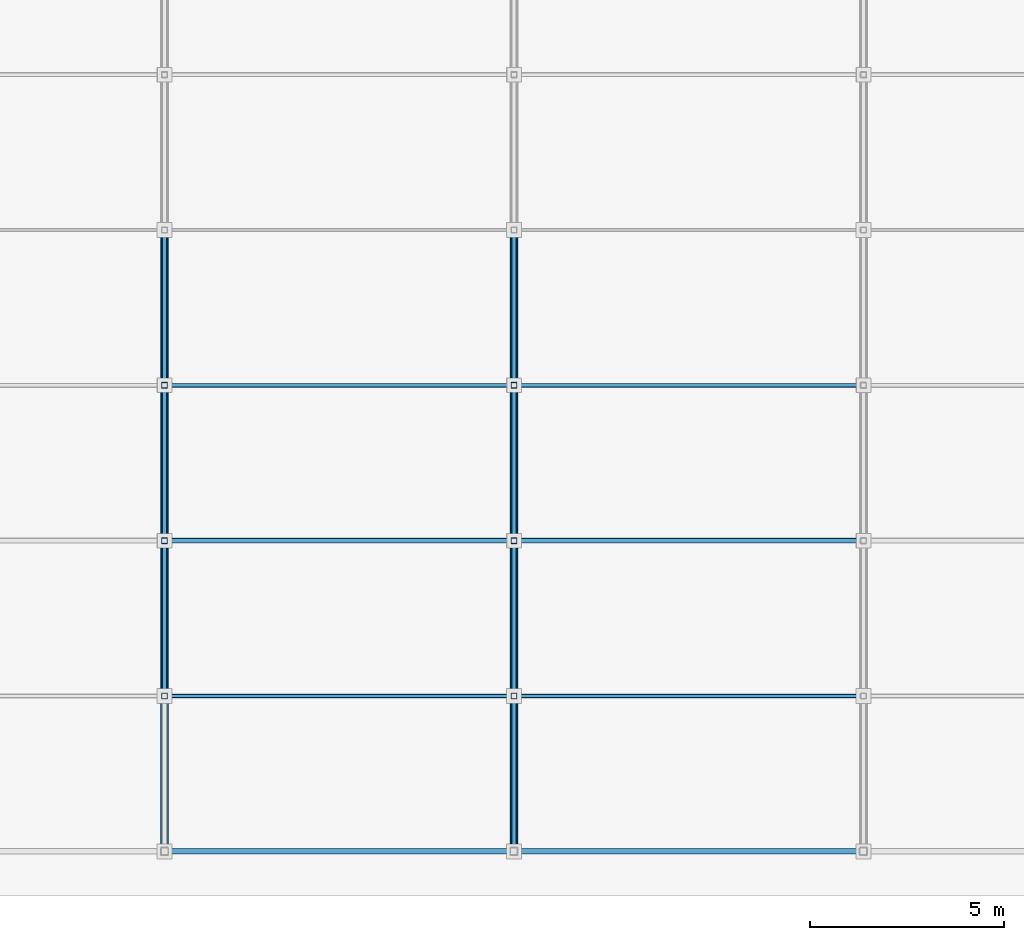
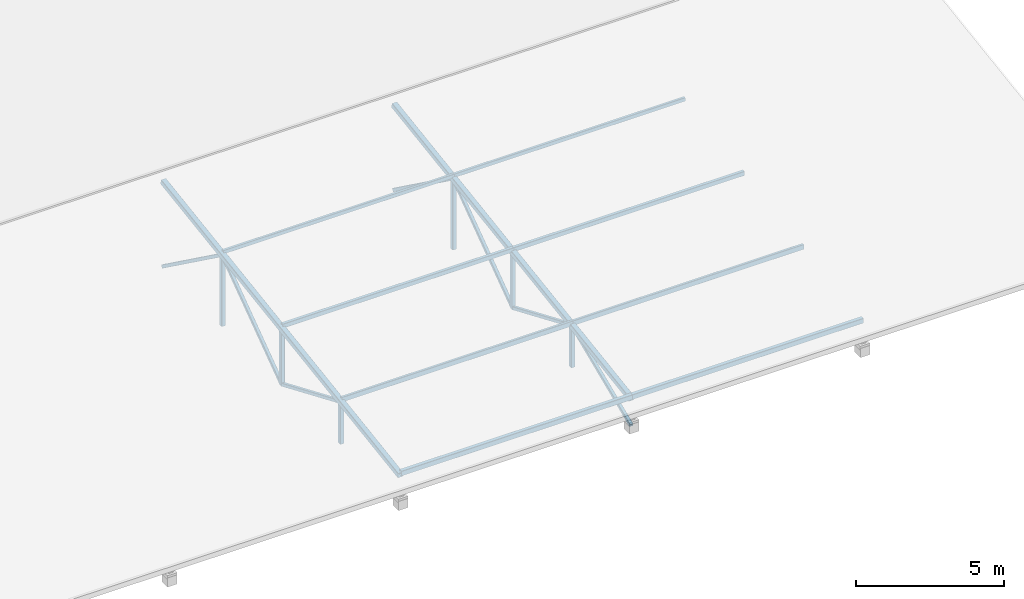
# One storey, part 9 of 118: 21 members, 2 beams.
"""IFC4 building model written with IfcOpenShell, lengths in metres."""

import ifcopenshell
import ifcopenshell.guid

model = None  # the IFC model being written
_history = None  # IfcOwnerHistory: only IFC2X3 demands one
_inside = {}  # id of a spatial element -> (the spatial element, [elements in it])
_under = {}  # id of a project, library or spatial element -> (it, [spatial elements below it])
_declared = {}  # id of a project -> (the project, [libraries it declares])
_typed = {}  # id of a type object -> (the type object, [elements of that type])
_made_of = {}  # id of a material, layer set ... -> (it, [elements and type objects made of it])


def new_model(schema):
    """Start an empty IFC model of exactly this schema.

    Asked for "IFC4X3", IfcOpenShell would pick the latest addendum, in which some entities
    have other attributes; the version numbers below select the first issue.
    IFC2X3 requires an IfcOwnerHistory on every rooted entity: one is made here for all.
    """
    global model, _history
    if schema == "IFC4X3":
        model = ifcopenshell.file(schema_version=(4, 3, 0, 0))
    else:
        model = ifcopenshell.file(schema=schema)
    _inside.clear()
    _under.clear()
    _declared.clear()
    _typed.clear()
    _made_of.clear()
    _history = None
    if model.schema == "IFC2X3":
        org = make("IfcOrganization", Name="unknown")
        user = make(
            "IfcPersonAndOrganization",
            ThePerson=make("IfcPerson", FamilyName="unknown"),
            TheOrganization=org,
        )
        app = make(
            "IfcApplication",
            ApplicationDeveloper=org,
            Version="unknown",
            ApplicationFullName="unknown",
            ApplicationIdentifier="unknown",
        )
        _history = make(
            "IfcOwnerHistory",
            OwningUser=user,
            OwningApplication=app,
            ChangeAction="ADDED",
            CreationDate=0,
        )
    return model


def make(cls, **values):
    """One entity of the class cls with the attributes given. An attribute that is None is left unset."""
    return model.create_entity(
        cls, **{name: value for name, value in values.items() if value is not None}
    )


def rooted(cls, **values):
    """An entity with a GlobalId (a new one), such as an element, a storey or a relation."""
    return make(cls, GlobalId=ifcopenshell.guid.new(), OwnerHistory=_history, **values)


def si_unit(unit_type, name, prefix=None):
    """IfcSIUnit, for example si_unit("LENGTHUNIT", "METRE", prefix="MILLI")."""
    return make("IfcSIUnit", UnitType=unit_type, Prefix=prefix, Name=name)


def assignment(units):
    """IfcUnitAssignment: the units of a project."""
    return None if units is None else make("IfcUnitAssignment", Units=units)


def point(xyz):
    """IfcCartesianPoint."""
    return None if xyz is None else make("IfcCartesianPoint", Coordinates=xyz)


def direction(xyz):
    """IfcDirection."""
    return None if xyz is None else make("IfcDirection", DirectionRatios=xyz)


def frame(location, z_axis=None, x_axis=None):
    """IfcAxis2Placement3D, a coordinate frame: its origin and axes. An axis left out is left unset."""
    return make(
        "IfcAxis2Placement3D",
        Location=point(location),
        Axis=direction(z_axis),
        RefDirection=direction(x_axis),
    )


def frame_2d(location, x_axis=None):
    """IfcAxis2Placement2D, a coordinate frame in the plane: its origin and x axis."""
    return make(
        "IfcAxis2Placement2D", Location=point(location), RefDirection=direction(x_axis)
    )


def origin():
    """The frame at (0, 0, 0) with its axes left unset."""
    return frame((0.0, 0.0, 0.0))


def origin_2d():
    """The frame at (0, 0) in the plane with its x axis left unset."""
    return frame_2d((0.0, 0.0))


def place(relative_to, where):
    """IfcLocalPlacement: puts the frame where relative to a parent placement (None: the world)."""
    return make(
        "IfcLocalPlacement", PlacementRelTo=relative_to, RelativePlacement=where
    )


def context(
    kind, dimensions, precision=None, world=None, true_north=None, identifier=None
):
    """IfcGeometricRepresentationContext, for example the 3D "Model" context."""
    return make(
        "IfcGeometricRepresentationContext",
        ContextIdentifier=identifier,
        ContextType=kind,
        CoordinateSpaceDimension=dimensions,
        Precision=precision,
        WorldCoordinateSystem=world,
        TrueNorth=true_north,
    )


def subcontext(parent, identifier, kind, view, scale=None):
    """IfcGeometricRepresentationSubContext, for example "Body" below "Model"."""
    return make(
        "IfcGeometricRepresentationSubContext",
        ContextIdentifier=identifier,
        ContextType=kind,
        ParentContext=parent,
        TargetScale=scale,
        TargetView=view,
    )


def project(units=None, contexts=None):
    """IfcProject with its units and contexts."""
    return rooted(
        "IfcProject",
        Name="project",
        RepresentationContexts=contexts,
        UnitsInContext=assignment(units),
    )


def spatial(cls, under=None, at=None, **own):
    """A site, building, storey or space (cls), placed at a placement, below another one or the project."""
    s = rooted(cls, ObjectPlacement=at, **own)
    if under is not None:
        _under.setdefault(under.id(), (under, []))[1].append(s)
    return s


def profile(cls, at=None, kind="AREA", **sizes):
    """A parametric profile (cls). Its sizes go by their IFC names, for example OverallWidth=200.0."""
    return make(cls, ProfileType=kind, Position=at, **sizes)


def hollow_rectangle(**sizes):
    """IfcRectangleHollowProfileDef."""
    return profile("IfcRectangleHollowProfileDef", **sizes)


def extrude(swept, where, along, depth):
    """IfcExtrudedAreaSolid: the profile swept, set in the frame where, extruded along a direction by depth."""
    return make(
        "IfcExtrudedAreaSolid",
        SweptArea=swept,
        Position=where,
        ExtrudedDirection=direction(along),
        Depth=depth,
    )


def shape(context_of_items, identifier, shape_type, items):
    """IfcShapeRepresentation: the items that make up one representation, for example the "Body"."""
    return make(
        "IfcShapeRepresentation",
        ContextOfItems=context_of_items,
        RepresentationIdentifier=identifier,
        RepresentationType=shape_type,
        Items=items,
    )


def material(Name=None, Category=None):
    """IfcMaterial."""
    return make("IfcMaterial", Name=Name, Category=Category)


def material_profile(
    of_material, cross_section, Name=None, Category=None, Priority=None
):
    """IfcMaterialProfile: a cross section and its material."""
    return make(
        "IfcMaterialProfile",
        Name=Name,
        Material=of_material,
        Profile=cross_section,
        Priority=Priority,
        Category=Category,
    )


def profile_set(profiles, Name=None, composite=None):
    """IfcMaterialProfileSet."""
    return make(
        "IfcMaterialProfileSet",
        Name=Name,
        MaterialProfiles=profiles,
        CompositeProfile=composite,
    )


def made_of(thing, what):
    """Note that an element or type object is made of a material, layer set ...; save() writes the relation."""
    if what is not None:
        _made_of.setdefault(what.id(), (what, []))[1].append(thing)
    return thing


def type_object(cls, material=None, **own):
    """A type object (cls), such as IfcWallType, which elements share."""
    return made_of(rooted(cls, **own), material)


def element(
    cls,
    number,
    at=None,
    inside=None,
    cuts=None,
    type_object=None,
    material=None,
    context=None,
    identifier="Body",
    shape_type=None,
    held_by="IfcProductDefinitionShape",
    body=None,
    shapes=None,
    **own,
):
    """One element of the class cls, such as IfcWall. Its Tag is "e" and its number.

    at: its placement. inside: the storey or other place that contains it. cuts: it is an
    opening in that element (IfcRelVoidsElement). A single representation is given by context,
    identifier, shape_type and body (its items); several are given by shapes. held_by: the class
    of the entity that holds the representations. save() writes the other relations.
    """
    e = rooted(cls, Tag="e%d" % number, ObjectPlacement=at, **own)
    if body is not None:
        shapes = [shape(context, identifier, shape_type, body)]
    if shapes is not None:
        e.Representation = make(held_by, Representations=shapes)
    if inside is not None:
        _inside.setdefault(inside.id(), (inside, []))[1].append(e)
    if cuts is not None:
        rooted(
            "IfcRelVoidsElement", RelatingBuildingElement=cuts, RelatedOpeningElement=e
        )
    if type_object is not None:
        _typed.setdefault(type_object.id(), (type_object, []))[1].append(e)
    return made_of(e, material)


def aggregate(whole, parts):
    """IfcRelAggregates: a whole, such as a stair, and the parts it consists of."""
    return rooted("IfcRelAggregates", RelatingObject=whole, RelatedObjects=parts)


def save(model, path):
    """Write the relations noted so far, then the file.

    IfcRelAggregates (storeys below a building ...), IfcRelContainedInSpatialStructure (elements
    in a storey), IfcRelDefinesByType, IfcRelAssociatesMaterial and IfcRelDeclares: one each for
    every whole, place, type object, material and project.
    """
    for whole, parts in _under.values():
        aggregate(whole, parts)
    for where, things in _inside.values():
        rooted(
            "IfcRelContainedInSpatialStructure",
            RelatedElements=things,
            RelatingStructure=where,
        )
    for kind, things in _typed.values():
        rooted("IfcRelDefinesByType", RelatedObjects=things, RelatingType=kind)
    for what, things in _made_of.values():
        rooted("IfcRelAssociatesMaterial", RelatedObjects=things, RelatingMaterial=what)
    for by, libraries in _declared.values():
        rooted("IfcRelDeclares", RelatingContext=by, RelatedDefinitions=libraries)
    model.write(path)


model = new_model("IFC4")

# Units and contexts
model_context = context("Model", 3, precision=1e-05, world=origin(), true_north=direction((0.0, 1.0)))
body_context = subcontext(model_context, "Body", "Model", "MODEL_VIEW")
ifc_project = project(units=[si_unit("LENGTHUNIT", "METRE"), si_unit("AREAUNIT", "SQUARE_METRE"), si_unit("VOLUMEUNIT", "CUBIC_METRE"), si_unit("PLANEANGLEUNIT", "RADIAN"), si_unit("MASSUNIT", "GRAM", prefix="KILO"), si_unit("THERMODYNAMICTEMPERATUREUNIT", "KELVIN"), si_unit("POWERUNIT", "WATT")], contexts=[model_context])

# Site, building, storey
site_placement = place(None, origin())
site = spatial("IfcSite", under=ifc_project, at=site_placement, CompositionType="ELEMENT")
building_placement = place(site_placement, origin())
building = spatial("IfcBuilding", under=site, at=building_placement, Name="Zelmaris Science Centre", CompositionType="ELEMENT")
storey_placement = place(building_placement, frame((0.0, 0.0, 15.60009765625)))
storey = spatial("IfcBuildingStorey", under=building, at=storey_placement, Name="L03", CompositionType="ELEMENT", Elevation=15.60009765625)

# Beams
ifc_material = material(Name="Steel ASTM A500 Grade C", Category="steel")
ifc_material_profile_1 = material_profile(ifc_material, hollow_rectangle(XDim=0.203125, YDim=0.203125, WallThickness=0.01171875, InnerFilletRadius=0.01171875, OuterFilletRadius=0.023681640625, at=origin_2d()), Name="HSS203X203X13")
ifc_profile_set_1 = profile_set([ifc_material_profile_1], Name="Steel ASTM A500 Grade C")
beam_type = type_object("IfcBeamType", Name="Beam G-20 HSS203X203X13", PredefinedType="BEAM", material=ifc_profile_set_1)
for number, where, z_axis, x_axis, name in (
    (1, (27.0, 8.0, 0.99560546875), (0.0, 0.988937238327, 0.148334549755), (-1.0, 0.0, 0.0), "RF-V3 Roof truss 3 south top chord"),
    (2, (36.0, 8.0, 0.99560546875), (0.0, 0.988937238327, 0.148334549755), (-1.0, 0.0, 0.0), "RF-V3 Roof truss 4 south top chord"),
):
    element("IfcBeam", number, at=place(storey_placement, frame(where, z_axis=z_axis, x_axis=x_axis)), inside=storey, type_object=beam_type, Name=name, PredefinedType="BEAM", context=body_context, shape_type="SweptSolid", body=[
        extrude(hollow_rectangle(XDim=0.203125, YDim=0.203125, WallThickness=0.01171875, InnerFilletRadius=0.01171875, OuterFilletRadius=0.023681640625, at=origin_2d()), origin(), (0.0, 0.0, 1.0), 16.178955078125),
    ])

# Members
ifc_material_profile_2 = material_profile(ifc_material, hollow_rectangle(XDim=0.15234375, YDim=0.203125, WallThickness=0.0087890625, InnerFilletRadius=0.0087890625, OuterFilletRadius=0.017822265625, at=origin_2d()), Name="HSS203X152X10")
ifc_profile_set_2 = profile_set([ifc_material_profile_2], Name="Steel ASTM A500 Grade C")
member_type_1 = type_object("IfcMemberType", Name="Roof Purlin PR-02 HSS203X152X10", PredefinedType="PURLIN", material=ifc_profile_set_2)
for number, where, z_axis, x_axis, name in (
    (3, (27.0, 8.0, 1.090576171875), (1.0, 0.0, 0.0), (0.0, 1.0, 0.0), "RF-V3 Roof purlin 19"),
    (4, (36.0, 8.0, 1.090576171875), (1.0, 0.0, 0.0), (0.0, 1.0, 0.0), "RF-V3 Roof purlin 28"),
):
    element("IfcMember", number, at=place(storey_placement, frame(where, z_axis=z_axis, x_axis=x_axis)), inside=storey, type_object=member_type_1, Name=name, PredefinedType="PURLIN", context=body_context, shape_type="SweptSolid", body=[
        extrude(hollow_rectangle(XDim=0.15234375, YDim=0.203125, WallThickness=0.0087890625, InnerFilletRadius=0.0087890625, OuterFilletRadius=0.017822265625, at=origin_2d()), origin(), (0.0, 0.0, 1.0), 9.0),
    ])
ifc_material_profile_3 = material_profile(ifc_material, hollow_rectangle(XDim=0.1015625, YDim=0.203125, WallThickness=0.00732421875, InnerFilletRadius=0.00732421875, OuterFilletRadius=0.014892578125, at=origin_2d()), Name="HSS203X102X8")
ifc_profile_set_3 = profile_set([ifc_material_profile_3], Name="Steel ASTM A500 Grade C")
member_type_2 = type_object("IfcMemberType", Name="Roof Purlin PR-03 HSS203X102X8", PredefinedType="PURLIN", material=ifc_profile_set_3)
for number, where, z_axis, x_axis, name in (
    (5, (27.0, 12.0, 1.690673828125), (1.0, 0.0, 0.0), (0.0, 1.0, 0.0), "RF-V3 Roof purlin 20"),
    (6, (36.0, 12.0, 1.690673828125), (1.0, 0.0, 0.0), (0.0, 1.0, 0.0), "RF-V3 Roof purlin 29"),
):
    element("IfcMember", number, at=place(storey_placement, frame(where, z_axis=z_axis, x_axis=x_axis)), inside=storey, type_object=member_type_2, Name=name, PredefinedType="PURLIN", context=body_context, shape_type="SweptSolid", body=[
        extrude(hollow_rectangle(XDim=0.1015625, YDim=0.203125, WallThickness=0.00732421875, InnerFilletRadius=0.00732421875, OuterFilletRadius=0.014892578125, at=origin_2d()), origin(), (0.0, 0.0, 1.0), 9.0),
    ])
ifc_material_profile_4 = material_profile(ifc_material, hollow_rectangle(XDim=0.126953125, YDim=0.177734375, WallThickness=0.00732421875, InnerFilletRadius=0.00732421875, OuterFilletRadius=0.014892578125, at=origin_2d()), Name="HSS178X127X8")
ifc_profile_set_4 = profile_set([ifc_material_profile_4], Name="Steel ASTM A500 Grade C")
member_type_3 = type_object("IfcMemberType", Name="Roof Purlin PR-04 HSS178X127X8", PredefinedType="PURLIN", material=ifc_profile_set_4)
for number, where, z_axis, x_axis, name in (
    (7, (27.0, 16.0, 2.30322265625), (1.0, 0.0, 0.0), (0.0, 1.0, 0.0), "RF-V3 Roof purlin 21"),
    (8, (36.0, 16.0, 2.30322265625), (1.0, 0.0, 0.0), (0.0, 1.0, 0.0), "RF-V3 Roof purlin 30"),
):
    element("IfcMember", number, at=place(storey_placement, frame(where, z_axis=z_axis, x_axis=x_axis)), inside=storey, type_object=member_type_3, Name=name, PredefinedType="PURLIN", context=body_context, shape_type="SweptSolid", body=[
        extrude(hollow_rectangle(XDim=0.126953125, YDim=0.177734375, WallThickness=0.00732421875, InnerFilletRadius=0.00732421875, OuterFilletRadius=0.014892578125, at=origin_2d()), origin(), (0.0, 0.0, 1.0), 9.0),
    ])
ifc_material_profile_5 = material_profile(ifc_material, hollow_rectangle(XDim=0.1015625, YDim=0.15234375, WallThickness=0.005859375, InnerFilletRadius=0.005859375, OuterFilletRadius=0.01171875, at=origin_2d()), Name="HSS152X102X6")
ifc_profile_set_5 = profile_set([ifc_material_profile_5], Name="Steel ASTM A500 Grade C")
member_type_4 = type_object("IfcMemberType", Name="Roof Purlin PR-05 HSS152X102X6", PredefinedType="PURLIN", material=ifc_profile_set_5)
for number, where, z_axis, x_axis, name in (
    (9, (27.0, 20.0, 2.916015625), (1.0, 0.0, 0.0), (0.0, 1.0, 0.0), "RF-V3 Roof purlin 22"),
    (10, (36.0, 20.0, 2.916015625), (1.0, 0.0, 0.0), (0.0, 1.0, 0.0), "RF-V3 Roof purlin 31"),
):
    element("IfcMember", number, at=place(storey_placement, frame(where, z_axis=z_axis, x_axis=x_axis)), inside=storey, type_object=member_type_4, Name=name, PredefinedType="PURLIN", context=body_context, shape_type="SweptSolid", body=[
        extrude(hollow_rectangle(XDim=0.1015625, YDim=0.15234375, WallThickness=0.005859375, InnerFilletRadius=0.005859375, OuterFilletRadius=0.01171875, at=origin_2d()), origin(), (0.0, 0.0, 1.0), 9.0),
    ])
ifc_material_profile_6 = material_profile(ifc_material, hollow_rectangle(XDim=0.15234375, YDim=0.15234375, WallThickness=0.0087890625, InnerFilletRadius=0.0087890625, OuterFilletRadius=0.017822265625, at=origin_2d()), Name="HSS152X152X10")
ifc_profile_set_6 = profile_set([ifc_material_profile_6], Name="Steel ASTM A500 Grade C")
member_type_5 = type_object("IfcMemberType", Name="Structural Brace BR-03 HSS152X152X10", PredefinedType="BRACE", material=ifc_profile_set_6)
member_1_placement = place(storey_placement, frame((27.0, 12.0, -0.1044921875), z_axis=(0.0, 0.0, 1.0), x_axis=(1.0, 0.0, 0.0)))
element("IfcMember", 11, at=member_1_placement, inside=storey, type_object=member_type_5, Name="RF-V3 Roof truss 3 vertical web 1", PredefinedType="BRACE", context=body_context, shape_type="SweptSolid", body=[
    extrude(hollow_rectangle(XDim=0.15234375, YDim=0.15234375, WallThickness=0.0087890625, InnerFilletRadius=0.0087890625, OuterFilletRadius=0.017822265625, at=origin_2d()), origin(), (0.0, 0.0, 1.0), 1.7001953125),
])
member_2_placement = place(storey_placement, frame((27.0, 16.0, -0.1044921875), z_axis=(0.0, 0.0, 1.0), x_axis=(1.0, 0.0, 0.0)))
element("IfcMember", 12, at=member_2_placement, inside=storey, type_object=member_type_5, Name="RF-V3 Roof truss 3 vertical web 2", PredefinedType="BRACE", context=body_context, shape_type="SweptSolid", body=[
    extrude(hollow_rectangle(XDim=0.15234375, YDim=0.15234375, WallThickness=0.0087890625, InnerFilletRadius=0.0087890625, OuterFilletRadius=0.017822265625, at=origin_2d()), origin(), (0.0, 0.0, 1.0), 2.300048828125),
])
member_3_placement = place(storey_placement, frame((27.0, 20.0, -0.1044921875), z_axis=(0.0, 0.0, 1.0), x_axis=(1.0, 0.0, 0.0)))
element("IfcMember", 13, at=member_3_placement, inside=storey, type_object=member_type_5, Name="RF-V3 Roof truss 3 vertical web 3", PredefinedType="BRACE", context=body_context, shape_type="SweptSolid", body=[
    extrude(hollow_rectangle(XDim=0.15234375, YDim=0.15234375, WallThickness=0.0087890625, InnerFilletRadius=0.0087890625, OuterFilletRadius=0.017822265625, at=origin_2d()), origin(), (0.0, 0.0, 1.0), 2.900146484375),
])
member_4_placement = place(storey_placement, frame((36.0, 12.0, -0.1044921875), z_axis=(0.0, 0.0, 1.0), x_axis=(1.0, 0.0, 0.0)))
element("IfcMember", 14, at=member_4_placement, inside=storey, type_object=member_type_5, Name="RF-V3 Roof truss 4 vertical web 1", PredefinedType="BRACE", context=body_context, shape_type="SweptSolid", body=[
    extrude(hollow_rectangle(XDim=0.15234375, YDim=0.15234375, WallThickness=0.0087890625, InnerFilletRadius=0.0087890625, OuterFilletRadius=0.017822265625, at=origin_2d()), origin(), (0.0, 0.0, 1.0), 1.7001953125),
])
member_5_placement = place(storey_placement, frame((36.0, 16.0, -0.1044921875), z_axis=(0.0, 0.0, 1.0), x_axis=(1.0, 0.0, 0.0)))
element("IfcMember", 15, at=member_5_placement, inside=storey, type_object=member_type_5, Name="RF-V3 Roof truss 4 vertical web 2", PredefinedType="BRACE", context=body_context, shape_type="SweptSolid", body=[
    extrude(hollow_rectangle(XDim=0.15234375, YDim=0.15234375, WallThickness=0.0087890625, InnerFilletRadius=0.0087890625, OuterFilletRadius=0.017822265625, at=origin_2d()), origin(), (0.0, 0.0, 1.0), 2.300048828125),
])
member_6_placement = place(storey_placement, frame((36.0, 20.0, -0.1044921875), z_axis=(0.0, 0.0, 1.0), x_axis=(1.0, 0.0, 0.0)))
element("IfcMember", 16, at=member_6_placement, inside=storey, type_object=member_type_5, Name="RF-V3 Roof truss 4 vertical web 3", PredefinedType="BRACE", context=body_context, shape_type="SweptSolid", body=[
    extrude(hollow_rectangle(XDim=0.15234375, YDim=0.15234375, WallThickness=0.0087890625, InnerFilletRadius=0.0087890625, OuterFilletRadius=0.017822265625, at=origin_2d()), origin(), (0.0, 0.0, 1.0), 2.900146484375),
])
ifc_material_profile_7 = material_profile(ifc_material, hollow_rectangle(XDim=0.126953125, YDim=0.126953125, WallThickness=0.00732421875, InnerFilletRadius=0.00732421875, OuterFilletRadius=0.014892578125, at=origin_2d()), Name="HSS127X127X8")
ifc_profile_set_7 = profile_set([ifc_material_profile_7], Name="Steel ASTM A500 Grade C")
member_type_6 = type_object("IfcMemberType", Name="Structural Brace BR-04 HSS127X127X8", PredefinedType="BRACE", material=ifc_profile_set_7)
member_7_placement = place(storey_placement, frame((27.0, 12.0, 1.595703125), z_axis=(0.0, 0.920314741215, -0.39117870226), x_axis=(-1.0, 0.0, 0.0)))
element("IfcMember", 17, at=member_7_placement, inside=storey, type_object=member_type_6, Name="RF-V3 Roof truss 3 web diagonal 2", PredefinedType="BRACE", context=body_context, shape_type="SweptSolid", body=[
    extrude(hollow_rectangle(XDim=0.126953125, YDim=0.126953125, WallThickness=0.00732421875, InnerFilletRadius=0.00732421875, OuterFilletRadius=0.014892578125, at=origin_2d()), origin(), (0.0, 0.0, 1.0), 4.346435546875),
])
for number, where, z_axis, x_axis, name in (
    (18, (27.0, 16.0, -0.1044921875), (0.0, 0.80959635384, 0.586987004838), (-1.0, 0.0, 0.0), "RF-V3 Roof truss 3 web diagonal 3"),
    (19, (27.0, 20.0, 2.795654296875), (0.0, 0.80959635384, -0.586987004838), (-1.0, 0.0, 0.0), "RF-V3 Roof truss 3 web diagonal 4"),
):
    element("IfcMember", number, at=place(storey_placement, frame(where, z_axis=z_axis, x_axis=x_axis)), inside=storey, type_object=member_type_6, Name=name, PredefinedType="BRACE", context=body_context, shape_type="SweptSolid", body=[
        extrude(hollow_rectangle(XDim=0.126953125, YDim=0.126953125, WallThickness=0.00732421875, InnerFilletRadius=0.00732421875, OuterFilletRadius=0.014892578125, at=origin_2d()), origin(), (0.0, 0.0, 1.0), 4.940673828125),
    ])
for number, where, z_axis, x_axis, name in (
    (20, (36.0, 8.0, -0.1044921875), (0.0, 0.920314741215, 0.39117870226), (-1.0, 0.0, 0.0), "RF-V3 Roof truss 4 web diagonal 1"),
    (21, (36.0, 12.0, 1.595703125), (0.0, 0.920314741215, -0.39117870226), (-1.0, 0.0, 0.0), "RF-V3 Roof truss 4 web diagonal 2"),
):
    element("IfcMember", number, at=place(storey_placement, frame(where, z_axis=z_axis, x_axis=x_axis)), inside=storey, type_object=member_type_6, Name=name, PredefinedType="BRACE", context=body_context, shape_type="SweptSolid", body=[
        extrude(hollow_rectangle(XDim=0.126953125, YDim=0.126953125, WallThickness=0.00732421875, InnerFilletRadius=0.00732421875, OuterFilletRadius=0.014892578125, at=origin_2d()), origin(), (0.0, 0.0, 1.0), 4.346435546875),
    ])
for number, where, z_axis, x_axis, name in (
    (22, (36.0, 16.0, -0.1044921875), (0.0, 0.80959635384, 0.586987004838), (-1.0, 0.0, 0.0), "RF-V3 Roof truss 4 web diagonal 3"),
    (23, (36.0, 20.0, 2.795654296875), (0.0, 0.80959635384, -0.586987004838), (-1.0, 0.0, 0.0), "RF-V3 Roof truss 4 web diagonal 4"),
):
    element("IfcMember", number, at=place(storey_placement, frame(where, z_axis=z_axis, x_axis=x_axis)), inside=storey, type_object=member_type_6, Name=name, PredefinedType="BRACE", context=body_context, shape_type="SweptSolid", body=[
        extrude(hollow_rectangle(XDim=0.126953125, YDim=0.126953125, WallThickness=0.00732421875, InnerFilletRadius=0.00732421875, OuterFilletRadius=0.014892578125, at=origin_2d()), origin(), (0.0, 0.0, 1.0), 4.940673828125),
    ])

save(model, "model.ifc")
